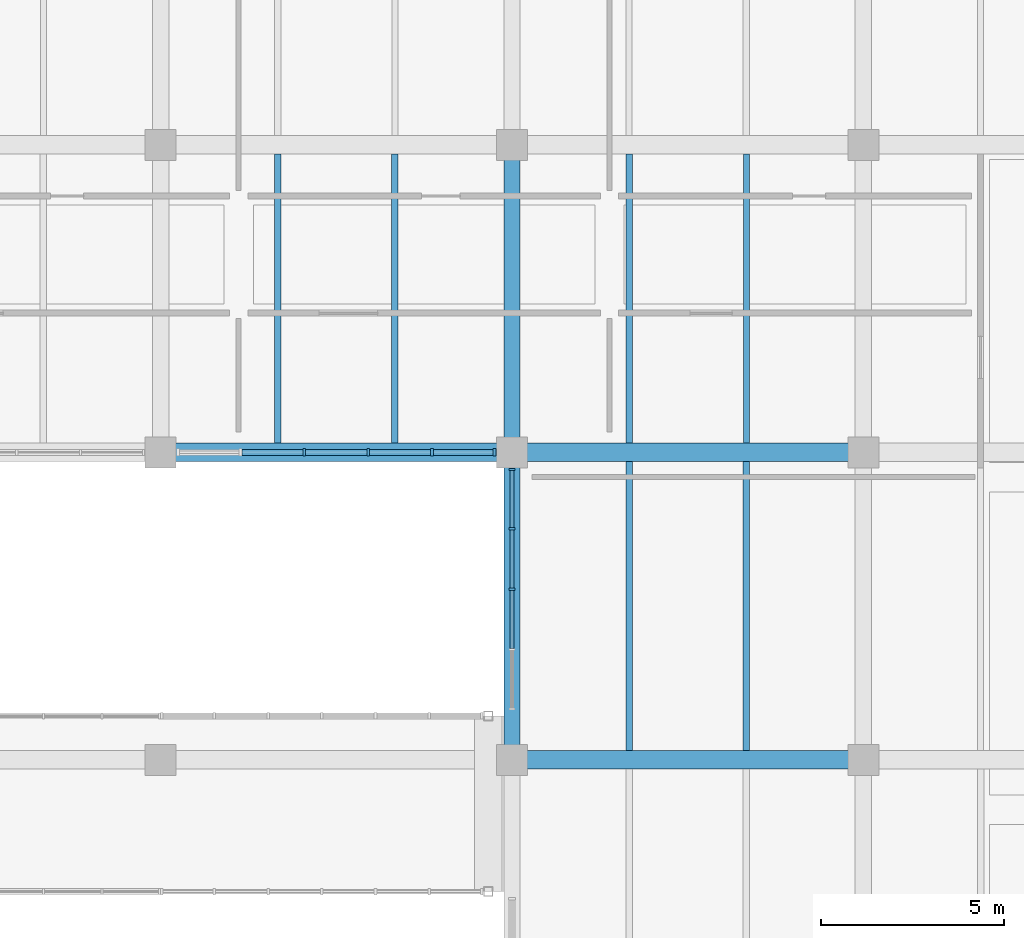
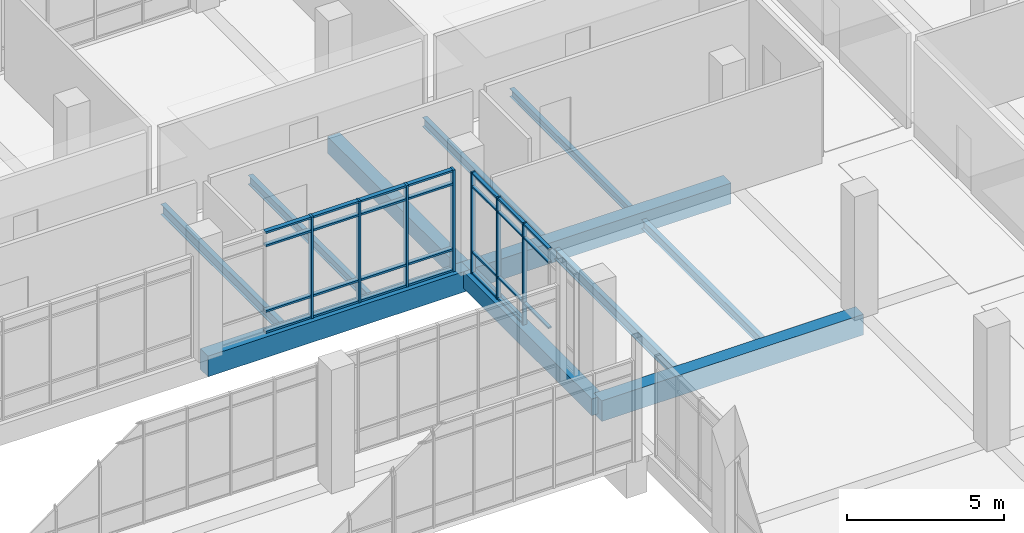
# One storey, part 61 of 152: 34 members, 11 beams, 2 elements without a shape of their own.
"""IFC4 building model written with IfcOpenShell, lengths in metres."""

import ifcopenshell
import ifcopenshell.guid

model = None  # the IFC model being written
_history = None  # IfcOwnerHistory: only IFC2X3 demands one
_inside = {}  # id of a spatial element -> (the spatial element, [elements in it])
_under = {}  # id of a project, library or spatial element -> (it, [spatial elements below it])
_declared = {}  # id of a project -> (the project, [libraries it declares])
_typed = {}  # id of a type object -> (the type object, [elements of that type])
_made_of = {}  # id of a material, layer set ... -> (it, [elements and type objects made of it])


def new_model(schema):
    """Start an empty IFC model of exactly this schema.

    Asked for "IFC4X3", IfcOpenShell would pick the latest addendum, in which some entities
    have other attributes; the version numbers below select the first issue.
    IFC2X3 requires an IfcOwnerHistory on every rooted entity: one is made here for all.
    """
    global model, _history
    if schema == "IFC4X3":
        model = ifcopenshell.file(schema_version=(4, 3, 0, 0))
    else:
        model = ifcopenshell.file(schema=schema)
    _inside.clear()
    _under.clear()
    _declared.clear()
    _typed.clear()
    _made_of.clear()
    _history = None
    if model.schema == "IFC2X3":
        org = make("IfcOrganization", Name="unknown")
        user = make(
            "IfcPersonAndOrganization",
            ThePerson=make("IfcPerson", FamilyName="unknown"),
            TheOrganization=org,
        )
        app = make(
            "IfcApplication",
            ApplicationDeveloper=org,
            Version="unknown",
            ApplicationFullName="unknown",
            ApplicationIdentifier="unknown",
        )
        _history = make(
            "IfcOwnerHistory",
            OwningUser=user,
            OwningApplication=app,
            ChangeAction="ADDED",
            CreationDate=0,
        )
    return model


def make(cls, **values):
    """One entity of the class cls with the attributes given. An attribute that is None is left unset."""
    return model.create_entity(
        cls, **{name: value for name, value in values.items() if value is not None}
    )


def rooted(cls, **values):
    """An entity with a GlobalId (a new one), such as an element, a storey or a relation."""
    return make(cls, GlobalId=ifcopenshell.guid.new(), OwnerHistory=_history, **values)


def si_unit(unit_type, name, prefix=None):
    """IfcSIUnit, for example si_unit("LENGTHUNIT", "METRE", prefix="MILLI")."""
    return make("IfcSIUnit", UnitType=unit_type, Prefix=prefix, Name=name)


def assignment(units):
    """IfcUnitAssignment: the units of a project."""
    return None if units is None else make("IfcUnitAssignment", Units=units)


def point(xyz):
    """IfcCartesianPoint."""
    return None if xyz is None else make("IfcCartesianPoint", Coordinates=xyz)


def direction(xyz):
    """IfcDirection."""
    return None if xyz is None else make("IfcDirection", DirectionRatios=xyz)


def frame(location, z_axis=None, x_axis=None):
    """IfcAxis2Placement3D, a coordinate frame: its origin and axes. An axis left out is left unset."""
    return make(
        "IfcAxis2Placement3D",
        Location=point(location),
        Axis=direction(z_axis),
        RefDirection=direction(x_axis),
    )


def frame_2d(location, x_axis=None):
    """IfcAxis2Placement2D, a coordinate frame in the plane: its origin and x axis."""
    return make(
        "IfcAxis2Placement2D", Location=point(location), RefDirection=direction(x_axis)
    )


def origin():
    """The frame at (0, 0, 0) with its axes left unset."""
    return frame((0.0, 0.0, 0.0))


def origin_2d():
    """The frame at (0, 0) in the plane with its x axis left unset."""
    return frame_2d((0.0, 0.0))


def place(relative_to, where):
    """IfcLocalPlacement: puts the frame where relative to a parent placement (None: the world)."""
    return make(
        "IfcLocalPlacement", PlacementRelTo=relative_to, RelativePlacement=where
    )


def context(
    kind, dimensions, precision=None, world=None, true_north=None, identifier=None
):
    """IfcGeometricRepresentationContext, for example the 3D "Model" context."""
    return make(
        "IfcGeometricRepresentationContext",
        ContextIdentifier=identifier,
        ContextType=kind,
        CoordinateSpaceDimension=dimensions,
        Precision=precision,
        WorldCoordinateSystem=world,
        TrueNorth=true_north,
    )


def subcontext(parent, identifier, kind, view, scale=None):
    """IfcGeometricRepresentationSubContext, for example "Body" below "Model"."""
    return make(
        "IfcGeometricRepresentationSubContext",
        ContextIdentifier=identifier,
        ContextType=kind,
        ParentContext=parent,
        TargetScale=scale,
        TargetView=view,
    )


def project(units=None, contexts=None):
    """IfcProject with its units and contexts."""
    return rooted(
        "IfcProject",
        Name="project",
        RepresentationContexts=contexts,
        UnitsInContext=assignment(units),
    )


def spatial(cls, under=None, at=None, **own):
    """A site, building, storey or space (cls), placed at a placement, below another one or the project."""
    s = rooted(cls, ObjectPlacement=at, **own)
    if under is not None:
        _under.setdefault(under.id(), (under, []))[1].append(s)
    return s


def profile(cls, at=None, kind="AREA", **sizes):
    """A parametric profile (cls). Its sizes go by their IFC names, for example OverallWidth=200.0."""
    return make(cls, ProfileType=kind, Position=at, **sizes)


def rectangle(**sizes):
    """IfcRectangleProfileDef."""
    return profile("IfcRectangleProfileDef", **sizes)


def i_section(**sizes):
    """IfcIShapeProfileDef."""
    return profile("IfcIShapeProfileDef", **sizes)


def extrude(swept, where, along, depth):
    """IfcExtrudedAreaSolid: the profile swept, set in the frame where, extruded along a direction by depth."""
    return make(
        "IfcExtrudedAreaSolid",
        SweptArea=swept,
        Position=where,
        ExtrudedDirection=direction(along),
        Depth=depth,
    )


def shape(context_of_items, identifier, shape_type, items):
    """IfcShapeRepresentation: the items that make up one representation, for example the "Body"."""
    return make(
        "IfcShapeRepresentation",
        ContextOfItems=context_of_items,
        RepresentationIdentifier=identifier,
        RepresentationType=shape_type,
        Items=items,
    )


def material(Name=None, Category=None):
    """IfcMaterial."""
    return make("IfcMaterial", Name=Name, Category=Category)


def material_profile(
    of_material, cross_section, Name=None, Category=None, Priority=None
):
    """IfcMaterialProfile: a cross section and its material."""
    return make(
        "IfcMaterialProfile",
        Name=Name,
        Material=of_material,
        Profile=cross_section,
        Priority=Priority,
        Category=Category,
    )


def profile_set(profiles, Name=None, composite=None):
    """IfcMaterialProfileSet."""
    return make(
        "IfcMaterialProfileSet",
        Name=Name,
        MaterialProfiles=profiles,
        CompositeProfile=composite,
    )


def made_of(thing, what):
    """Note that an element or type object is made of a material, layer set ...; save() writes the relation."""
    if what is not None:
        _made_of.setdefault(what.id(), (what, []))[1].append(thing)
    return thing


def type_object(cls, material=None, **own):
    """A type object (cls), such as IfcWallType, which elements share."""
    return made_of(rooted(cls, **own), material)


def element(
    cls,
    number,
    at=None,
    inside=None,
    cuts=None,
    type_object=None,
    material=None,
    context=None,
    identifier="Body",
    shape_type=None,
    held_by="IfcProductDefinitionShape",
    body=None,
    shapes=None,
    **own,
):
    """One element of the class cls, such as IfcWall. Its Tag is "e" and its number.

    at: its placement. inside: the storey or other place that contains it. cuts: it is an
    opening in that element (IfcRelVoidsElement). A single representation is given by context,
    identifier, shape_type and body (its items); several are given by shapes. held_by: the class
    of the entity that holds the representations. save() writes the other relations.
    """
    e = rooted(cls, Tag="e%d" % number, ObjectPlacement=at, **own)
    if body is not None:
        shapes = [shape(context, identifier, shape_type, body)]
    if shapes is not None:
        e.Representation = make(held_by, Representations=shapes)
    if inside is not None:
        _inside.setdefault(inside.id(), (inside, []))[1].append(e)
    if cuts is not None:
        rooted(
            "IfcRelVoidsElement", RelatingBuildingElement=cuts, RelatedOpeningElement=e
        )
    if type_object is not None:
        _typed.setdefault(type_object.id(), (type_object, []))[1].append(e)
    return made_of(e, material)


def aggregate(whole, parts):
    """IfcRelAggregates: a whole, such as a stair, and the parts it consists of."""
    return rooted("IfcRelAggregates", RelatingObject=whole, RelatedObjects=parts)


def save(model, path):
    """Write the relations noted so far, then the file.

    IfcRelAggregates (storeys below a building ...), IfcRelContainedInSpatialStructure (elements
    in a storey), IfcRelDefinesByType, IfcRelAssociatesMaterial and IfcRelDeclares: one each for
    every whole, place, type object, material and project.
    """
    for whole, parts in _under.values():
        aggregate(whole, parts)
    for where, things in _inside.values():
        rooted(
            "IfcRelContainedInSpatialStructure",
            RelatedElements=things,
            RelatingStructure=where,
        )
    for kind, things in _typed.values():
        rooted("IfcRelDefinesByType", RelatedObjects=things, RelatingType=kind)
    for what, things in _made_of.values():
        rooted("IfcRelAssociatesMaterial", RelatedObjects=things, RelatingMaterial=what)
    for by, libraries in _declared.values():
        rooted("IfcRelDeclares", RelatingContext=by, RelatedDefinitions=libraries)
    model.write(path)


model = new_model("IFC4")

# Units and contexts
model_context = context("Model", 3, precision=1e-05, world=origin(), true_north=direction((0.0, 1.0)))
body_context = subcontext(model_context, "Body", "Model", "MODEL_VIEW")
ifc_project = project(units=[si_unit("LENGTHUNIT", "METRE"), si_unit("AREAUNIT", "SQUARE_METRE"), si_unit("VOLUMEUNIT", "CUBIC_METRE"), si_unit("PLANEANGLEUNIT", "RADIAN"), si_unit("MASSUNIT", "GRAM", prefix="KILO")], contexts=[model_context])

# Site, building, storey
site_placement = place(None, origin())
site = spatial("IfcSite", under=ifc_project, at=site_placement, CompositionType="ELEMENT")
building_placement = place(site_placement, origin())
building = spatial("IfcBuilding", under=site, at=building_placement, Name="Oolite Switchyard Hospital", CompositionType="ELEMENT")
storey_placement = place(building_placement, frame((0.0, 0.0, 5.10009765625)))
storey = spatial("IfcBuildingStorey", under=building, at=storey_placement, Name="L01", CompositionType="ELEMENT", Elevation=5.10009765625)

# Beams
ifc_material_1 = material(Name="Concrete C40/50", Category="concrete")
ifc_material_profile_1 = material_profile(ifc_material_1, rectangle(XDim=0.449951171875, YDim=0.64990234375, at=origin_2d()), Name="RCB450X650")
ifc_profile_set_1 = profile_set([ifc_material_profile_1], Name="Concrete C40/50")
beam_type_1 = type_object("IfcBeamType", Name="BM-RC450X650", PredefinedType="BEAM", material=ifc_profile_set_1)
beam_1_placement = place(storey_placement, frame((182.39990234375, 50.39990234375, -0.3251953125), z_axis=(0.0, 1.0, 0.0), x_axis=(-1.0, 0.0, 0.0)))
element("IfcBeam", 1, at=beam_1_placement, inside=storey, type_object=beam_type_1, Name="L01 Y-Girder 516", PredefinedType="BEAM", context=body_context, shape_type="SweptSolid", body=[
    extrude(rectangle(XDim=0.449951171875, YDim=0.64990234375, at=origin_2d()), origin(), (0.0, 0.0, 1.0), 8.400146484375),
])
beam_2_placement = place(storey_placement, frame((182.39990234375, 58.800048828125, -0.3251953125), z_axis=(0.0, 1.0, 0.0), x_axis=(-1.0, 0.0, 0.0)))
element("IfcBeam", 2, at=beam_2_placement, inside=storey, type_object=beam_type_1, Name="L01 Y-Girder 517", PredefinedType="BEAM", context=body_context, shape_type="SweptSolid", body=[
    extrude(rectangle(XDim=0.449951171875, YDim=0.64990234375, at=origin_2d()), origin(), (0.0, 0.0, 1.0), 8.39990234375),
])
ifc_material_profile_2 = material_profile(ifc_material_1, rectangle(XDim=0.5, YDim=0.800048828125, at=origin_2d()), Name="RCB500X800")
ifc_profile_set_2 = profile_set([ifc_material_profile_2], Name="Concrete C40/50")
beam_type_2 = type_object("IfcBeamType", Name="BM-RC500X800", PredefinedType="BEAM", material=ifc_profile_set_2)
beam_3_placement = place(storey_placement, frame((182.39990234375, 50.39990234375, -0.400146484375), z_axis=(1.0, 0.0, 0.0), x_axis=(0.0, 1.0, 0.0)))
element("IfcBeam", 3, at=beam_3_placement, inside=storey, type_object=beam_type_2, Name="L01 X-Girder 109", PredefinedType="BEAM", context=body_context, shape_type="SweptSolid", body=[
    extrude(rectangle(XDim=0.5, YDim=0.800048828125, at=origin_2d()), origin(), (0.0, 0.0, 1.0), 9.60009765625),
])
beam_4_placement = place(storey_placement, frame((172.800048828125, 58.800048828125, -0.400146484375), z_axis=(1.0, 0.0, 0.0), x_axis=(0.0, 1.0, 0.0)))
element("IfcBeam", 4, at=beam_4_placement, inside=storey, type_object=beam_type_2, Name="L01 X-Girder 124", PredefinedType="BEAM", context=body_context, shape_type="SweptSolid", body=[
    extrude(rectangle(XDim=0.5, YDim=0.800048828125, at=origin_2d()), origin(), (0.0, 0.0, 1.0), 9.599853515625),
])
beam_5_placement = place(storey_placement, frame((182.39990234375, 58.800048828125, -0.400146484375), z_axis=(1.0, 0.0, 0.0), x_axis=(0.0, 1.0, 0.0)))
element("IfcBeam", 5, at=beam_5_placement, inside=storey, type_object=beam_type_2, Name="L01 X-Girder 125", PredefinedType="BEAM", context=body_context, shape_type="SweptSolid", body=[
    extrude(rectangle(XDim=0.5, YDim=0.800048828125, at=origin_2d()), origin(), (0.0, 0.0, 1.0), 9.60009765625),
])
ifc_material_2 = material(Name="Steel ASTM A992 Grade 50", Category="steel")
ifc_material_profile_3 = material_profile(ifc_material_2, i_section(OverallWidth=0.1650390625, OverallDepth=0.31005859375, WebThickness=0.006103515625, FlangeThickness=0.010009765625, at=origin_2d()), Name="W12X26")
ifc_profile_set_3 = profile_set([ifc_material_profile_3], Name="Steel ASTM A992 Grade 50")
beam_type_3 = type_object("IfcBeamType", Name="BM-W12X26", PredefinedType="JOIST", material=ifc_profile_set_3)
beam_6_placement = place(storey_placement, frame((188.800048828125, 59.050048828125, -0.43017578125), z_axis=(0.0, 1.0, 0.0), x_axis=(-1.0, 0.0, 0.0)))
element("IfcBeam", 6, at=beam_6_placement, inside=storey, type_object=beam_type_3, Name="L01 Secondary Steel Joist 941", PredefinedType="JOIST", context=body_context, shape_type="SweptSolid", body=[
    extrude(i_section(OverallWidth=0.1650390625, OverallDepth=0.31005859375, WebThickness=0.006103515625, FlangeThickness=0.010009765625, at=origin_2d()), origin(), (0.0, 0.0, 1.0), 7.89990234375),
])
ifc_material_profile_4 = material_profile(ifc_material_2, i_section(OverallWidth=0.1708984375, OverallDepth=0.35107421875, WebThickness=0.007080078125, FlangeThickness=0.010009765625, at=origin_2d()), Name="W14X30")
ifc_profile_set_4 = profile_set([ifc_material_profile_4], Name="Steel ASTM A992 Grade 50")
beam_type_4 = type_object("IfcBeamType", Name="BM-W14X30", PredefinedType="JOIST", material=ifc_profile_set_4)
beam_7_placement = place(storey_placement, frame((179.199951171875, 59.050048828125, -0.4501953125), z_axis=(0.0, 1.0, 0.0), x_axis=(-1.0, 0.0, 0.0)))
element("IfcBeam", 7, at=beam_7_placement, inside=storey, type_object=beam_type_4, Name="L01 Secondary Steel Joist 917", PredefinedType="JOIST", context=body_context, shape_type="SweptSolid", body=[
    extrude(i_section(OverallWidth=0.1708984375, OverallDepth=0.35107421875, WebThickness=0.007080078125, FlangeThickness=0.010009765625, at=origin_2d()), origin(), (0.0, 0.0, 1.0), 7.89990234375),
])
beam_8_placement = place(storey_placement, frame((188.800048828125, 50.64990234375, -0.4501953125), z_axis=(0.0, 1.0, 0.0), x_axis=(-1.0, 0.0, 0.0)))
element("IfcBeam", 8, at=beam_8_placement, inside=storey, type_object=beam_type_4, Name="L01 Secondary Steel Joist 939", PredefinedType="JOIST", context=body_context, shape_type="SweptSolid", body=[
    extrude(i_section(OverallWidth=0.1708984375, OverallDepth=0.35107421875, WebThickness=0.007080078125, FlangeThickness=0.010009765625, at=origin_2d()), origin(), (0.0, 0.0, 1.0), 7.900146484375),
])
beam_9_placement = place(storey_placement, frame((185.60009765625, 59.050048828125, -0.4501953125), z_axis=(0.0, 1.0, 0.0), x_axis=(-1.0, 0.0, 0.0)))
element("IfcBeam", 9, at=beam_9_placement, inside=storey, type_object=beam_type_4, Name="L01 Secondary Steel Joist 940", PredefinedType="JOIST", context=body_context, shape_type="SweptSolid", body=[
    extrude(i_section(OverallWidth=0.1708984375, OverallDepth=0.35107421875, WebThickness=0.007080078125, FlangeThickness=0.010009765625, at=origin_2d()), origin(), (0.0, 0.0, 1.0), 7.89990234375),
])
ifc_material_profile_5 = material_profile(ifc_material_2, i_section(OverallWidth=0.177978515625, OverallDepth=0.403076171875, WebThickness=0.008056640625, FlangeThickness=0.010986328125, at=origin_2d()), Name="W16X36")
ifc_profile_set_5 = profile_set([ifc_material_profile_5], Name="Steel ASTM A992 Grade 50")
beam_type_5 = type_object("IfcBeamType", Name="BM-W16X36", PredefinedType="JOIST", material=ifc_profile_set_5)
beam_10_placement = place(storey_placement, frame((176.0, 59.050048828125, -0.47705078125), z_axis=(0.0, 1.0, 0.0), x_axis=(-1.0, 0.0, 0.0)))
element("IfcBeam", 10, at=beam_10_placement, inside=storey, type_object=beam_type_5, Name="L01 Secondary Steel Joist 916", PredefinedType="JOIST", context=body_context, shape_type="SweptSolid", body=[
    extrude(i_section(OverallWidth=0.177978515625, OverallDepth=0.403076171875, WebThickness=0.008056640625, FlangeThickness=0.010986328125, at=origin_2d()), origin(), (0.0, 0.0, 1.0), 7.89990234375),
])
beam_11_placement = place(storey_placement, frame((185.60009765625, 50.64990234375, -0.47705078125), z_axis=(0.0, 1.0, 0.0), x_axis=(-1.0, 0.0, 0.0)))
element("IfcBeam", 11, at=beam_11_placement, inside=storey, type_object=beam_type_5, Name="L01 Secondary Steel Joist 938", PredefinedType="JOIST", context=body_context, shape_type="SweptSolid", body=[
    extrude(i_section(OverallWidth=0.177978515625, OverallDepth=0.403076171875, WebThickness=0.008056640625, FlangeThickness=0.010986328125, at=origin_2d()), origin(), (0.0, 0.0, 1.0), 7.900146484375),
])

# Curtain wall, members
ifc_material_3 = material(Name="Thermally broken aluminum frame with laminated impact glazing", Category="aluminium")
curtain_wall_type_1 = type_object("IfcCurtainWallType", Name="CW-BRG-96X38", PredefinedType="USERDEFINED", material=ifc_material_3)
curtain_wall_1_placement = place(storey_placement, origin())
curtain_wall_1 = element("IfcCurtainWall", 12, at=curtain_wall_1_placement, inside=storey, type_object=curtain_wall_type_1, Name="L01 Unitised Curtain Wall 200", ObjectType="UNITISED", PredefinedType="USERDEFINED")
ifc_material_4 = material(Name="Aluminium 6063-T6", Category="aluminium")
ifc_material_profile_6 = material_profile(ifc_material_4, rectangle(XDim=0.159912109375, YDim=0.06005859375, at=origin_2d()), Name="CWM60X160")
ifc_profile_set_6 = profile_set([ifc_material_profile_6], Name="Aluminium 6063-T6")
member_type_1 = type_object("IfcMemberType", Name="CW-MUL-180", PredefinedType="MULLION", material=ifc_profile_set_6)
member_1_placement = place(storey_placement, frame((182.39990234375, 55.06005859375, 0.0), z_axis=(0.0, 0.0, 1.0), x_axis=(-1.0, 0.0, 0.0)))
member_1 = element("IfcMember", 13, at=member_1_placement, type_object=member_type_1, Name="CW-12 mullion 3", PredefinedType="MULLION", context=body_context, shape_type="SweptSolid", body=[
    extrude(rectangle(XDim=0.159912109375, YDim=0.06005859375, at=origin_2d()), origin(), (0.0, 0.0, 1.0), 3.93994140625),
])
member_2_placement = place(storey_placement, frame((182.39990234375, 56.7099609375, 0.0), z_axis=(0.0, 0.0, 1.0), x_axis=(-1.0, 0.0, 0.0)))
member_2 = element("IfcMember", 14, at=member_2_placement, type_object=member_type_1, Name="CW-12 mullion 4", PredefinedType="MULLION", context=body_context, shape_type="SweptSolid", body=[
    extrude(rectangle(XDim=0.159912109375, YDim=0.06005859375, at=origin_2d()), origin(), (0.0, 0.0, 1.0), 3.93994140625),
])
member_3_placement = place(storey_placement, frame((182.39990234375, 58.330078125, 0.0), z_axis=(0.0, 0.0, 1.0), x_axis=(-1.0, 0.0, 0.0)))
member_3 = element("IfcMember", 15, at=member_3_placement, type_object=member_type_1, Name="CW-12 mullion 5", PredefinedType="MULLION", context=body_context, shape_type="SweptSolid", body=[
    extrude(rectangle(XDim=0.159912109375, YDim=0.06005859375, at=origin_2d()), origin(), (0.0, 0.0, 1.0), 3.93994140625),
])

curtain_wall_type_2 = type_object("IfcCurtainWallType", Name="CW-UNIT-96X48", PredefinedType="USERDEFINED", material=ifc_material_3)
curtain_wall_2_placement = place(storey_placement, origin())
curtain_wall_2 = element("IfcCurtainWall", 16, at=curtain_wall_2_placement, inside=storey, type_object=curtain_wall_type_2, Name="L01 Unitised Curtain Wall 133", ObjectType="UNITISED", PredefinedType="USERDEFINED")
ifc_material_profile_7 = material_profile(ifc_material_4, rectangle(XDim=0.199951171875, YDim=0.074951171875, at=origin_2d()), Name="CWM75X200")
ifc_profile_set_7 = profile_set([ifc_material_profile_7], Name="Aluminium 6063-T6")
member_type_2 = type_object("IfcMemberType", Name="CW-MUL-260", PredefinedType="MULLION", material=ifc_profile_set_7)
member_4_placement = place(storey_placement, frame((181.922607421875, 58.800048828125, 0.0), z_axis=(0.0, 0.0, 1.0), x_axis=(0.0, -1.0, 0.0)))
member_4 = element("IfcMember", 17, at=member_4_placement, type_object=member_type_2, Name="CW-02 mullion 1", PredefinedType="MULLION", context=body_context, shape_type="SweptSolid", body=[
    extrude(rectangle(XDim=0.199951171875, YDim=0.074951171875, at=origin_2d()), origin(), (0.0, 0.0, 1.0), 3.93994140625),
])
member_5_placement = place(storey_placement, frame((180.216064453125, 58.800048828125, 0.0), z_axis=(0.0, 0.0, 1.0), x_axis=(0.0, -1.0, 0.0)))
member_5 = element("IfcMember", 18, at=member_5_placement, type_object=member_type_2, Name="CW-02 mullion 2", PredefinedType="MULLION", context=body_context, shape_type="SweptSolid", body=[
    extrude(rectangle(XDim=0.199951171875, YDim=0.074951171875, at=origin_2d()), origin(), (0.0, 0.0, 1.0), 3.93994140625),
])
member_6_placement = place(storey_placement, frame((178.471923828125, 58.800048828125, 0.0), z_axis=(0.0, 0.0, 1.0), x_axis=(0.0, -1.0, 0.0)))
member_6 = element("IfcMember", 19, at=member_6_placement, type_object=member_type_2, Name="CW-02 mullion 3", PredefinedType="MULLION", context=body_context, shape_type="SweptSolid", body=[
    extrude(rectangle(XDim=0.199951171875, YDim=0.074951171875, at=origin_2d()), origin(), (0.0, 0.0, 1.0), 3.93994140625),
])
member_7_placement = place(storey_placement, frame((176.72802734375, 58.800048828125, 0.0), z_axis=(0.0, 0.0, 1.0), x_axis=(0.0, -1.0, 0.0)))
member_7 = element("IfcMember", 20, at=member_7_placement, type_object=member_type_2, Name="CW-02 mullion 4", PredefinedType="MULLION", context=body_context, shape_type="SweptSolid", body=[
    extrude(rectangle(XDim=0.199951171875, YDim=0.074951171875, at=origin_2d()), origin(), (0.0, 0.0, 1.0), 3.93994140625),
])

# Member
ifc_material_profile_8 = material_profile(ifc_material_4, rectangle(XDim=0.1201171875, YDim=0.06005859375, at=origin_2d()), Name="CWT60X120")
ifc_profile_set_8 = profile_set([ifc_material_profile_8], Name="Aluminium 6063-T6")
member_type_3 = type_object("IfcMemberType", Name="CW-TRN-150", PredefinedType="USERDEFINED", material=ifc_profile_set_8)
member_8_placement = place(storey_placement, frame((182.39990234375, 53.43994140625, 0.849853515625), z_axis=(0.0, 1.0, 0.0), x_axis=(-1.0, 0.0, 0.0)))
member_8 = element("IfcMember", 21, at=member_8_placement, type_object=member_type_3, Name="CW-12 transom 2.2", ObjectType="TRANSOM", PredefinedType="USERDEFINED", context=body_context, shape_type="SweptSolid", body=[
    extrude(rectangle(XDim=0.1201171875, YDim=0.06005859375, at=origin_2d()), origin(), (0.0, 0.0, 1.0), 1.590087890625),
])

member_9_placement = place(storey_placement, frame((182.39990234375, 53.43994140625, 3.389892578125), z_axis=(0.0, 1.0, 0.0), x_axis=(-1.0, 0.0, 0.0)))
member_9 = element("IfcMember", 22, at=member_9_placement, type_object=member_type_3, Name="CW-12 transom 2.3", ObjectType="TRANSOM", PredefinedType="USERDEFINED", context=body_context, shape_type="SweptSolid", body=[
    extrude(rectangle(XDim=0.1201171875, YDim=0.06005859375, at=origin_2d()), origin(), (0.0, 0.0, 1.0), 1.590087890625),
])

member_10_placement = place(storey_placement, frame((182.39990234375, 53.43994140625, 3.909912109375), z_axis=(0.0, 1.0, 0.0), x_axis=(-1.0, 0.0, 0.0)))
member_10 = element("IfcMember", 23, at=member_10_placement, type_object=member_type_3, Name="CW-12 transom 2.4", ObjectType="TRANSOM", PredefinedType="USERDEFINED", context=body_context, shape_type="SweptSolid", body=[
    extrude(rectangle(XDim=0.1201171875, YDim=0.06005859375, at=origin_2d()), origin(), (0.0, 0.0, 1.0), 1.590087890625),
])

member_11_placement = place(storey_placement, frame((182.39990234375, 55.090087890625, 0.02978515625), z_axis=(0.0, 1.0, 0.0), x_axis=(-1.0, 0.0, 0.0)))
member_11 = element("IfcMember", 24, at=member_11_placement, type_object=member_type_3, Name="CW-12 transom 3.1", ObjectType="TRANSOM", PredefinedType="USERDEFINED", context=body_context, shape_type="SweptSolid", body=[
    extrude(rectangle(XDim=0.1201171875, YDim=0.06005859375, at=origin_2d()), origin(), (0.0, 0.0, 1.0), 1.58984375),
])

member_12_placement = place(storey_placement, frame((182.39990234375, 55.090087890625, 0.849853515625), z_axis=(0.0, 1.0, 0.0), x_axis=(-1.0, 0.0, 0.0)))
member_12 = element("IfcMember", 25, at=member_12_placement, type_object=member_type_3, Name="CW-12 transom 3.2", ObjectType="TRANSOM", PredefinedType="USERDEFINED", context=body_context, shape_type="SweptSolid", body=[
    extrude(rectangle(XDim=0.1201171875, YDim=0.06005859375, at=origin_2d()), origin(), (0.0, 0.0, 1.0), 1.58984375),
])

member_13_placement = place(storey_placement, frame((182.39990234375, 55.090087890625, 3.389892578125), z_axis=(0.0, 1.0, 0.0), x_axis=(-1.0, 0.0, 0.0)))
member_13 = element("IfcMember", 26, at=member_13_placement, type_object=member_type_3, Name="CW-12 transom 3.3", ObjectType="TRANSOM", PredefinedType="USERDEFINED", context=body_context, shape_type="SweptSolid", body=[
    extrude(rectangle(XDim=0.1201171875, YDim=0.06005859375, at=origin_2d()), origin(), (0.0, 0.0, 1.0), 1.58984375),
])

member_14_placement = place(storey_placement, frame((182.39990234375, 55.090087890625, 3.909912109375), z_axis=(0.0, 1.0, 0.0), x_axis=(-1.0, 0.0, 0.0)))
member_14 = element("IfcMember", 27, at=member_14_placement, type_object=member_type_3, Name="CW-12 transom 3.4", ObjectType="TRANSOM", PredefinedType="USERDEFINED", context=body_context, shape_type="SweptSolid", body=[
    extrude(rectangle(XDim=0.1201171875, YDim=0.06005859375, at=origin_2d()), origin(), (0.0, 0.0, 1.0), 1.58984375),
])

member_15_placement = place(storey_placement, frame((182.39990234375, 56.739990234375, 0.02978515625), z_axis=(0.0, 1.0, 0.0), x_axis=(-1.0, 0.0, 0.0)))
member_15 = element("IfcMember", 28, at=member_15_placement, type_object=member_type_3, Name="CW-12 transom 4.1", ObjectType="TRANSOM", PredefinedType="USERDEFINED", context=body_context, shape_type="SweptSolid", body=[
    extrude(rectangle(XDim=0.1201171875, YDim=0.06005859375, at=origin_2d()), origin(), (0.0, 0.0, 1.0), 1.56005859375),
])

member_16_placement = place(storey_placement, frame((182.39990234375, 56.739990234375, 0.849853515625), z_axis=(0.0, 1.0, 0.0), x_axis=(-1.0, 0.0, 0.0)))
member_16 = element("IfcMember", 29, at=member_16_placement, type_object=member_type_3, Name="CW-12 transom 4.2", ObjectType="TRANSOM", PredefinedType="USERDEFINED", context=body_context, shape_type="SweptSolid", body=[
    extrude(rectangle(XDim=0.1201171875, YDim=0.06005859375, at=origin_2d()), origin(), (0.0, 0.0, 1.0), 1.56005859375),
])

member_17_placement = place(storey_placement, frame((182.39990234375, 56.739990234375, 3.389892578125), z_axis=(0.0, 1.0, 0.0), x_axis=(-1.0, 0.0, 0.0)))
member_17 = element("IfcMember", 30, at=member_17_placement, type_object=member_type_3, Name="CW-12 transom 4.3", ObjectType="TRANSOM", PredefinedType="USERDEFINED", context=body_context, shape_type="SweptSolid", body=[
    extrude(rectangle(XDim=0.1201171875, YDim=0.06005859375, at=origin_2d()), origin(), (0.0, 0.0, 1.0), 1.56005859375),
])

member_18_placement = place(storey_placement, frame((182.39990234375, 56.739990234375, 3.909912109375), z_axis=(0.0, 1.0, 0.0), x_axis=(-1.0, 0.0, 0.0)))
member_18 = element("IfcMember", 31, at=member_18_placement, type_object=member_type_3, Name="CW-12 transom 4.4", ObjectType="TRANSOM", PredefinedType="USERDEFINED", context=body_context, shape_type="SweptSolid", body=[
    extrude(rectangle(XDim=0.1201171875, YDim=0.06005859375, at=origin_2d()), origin(), (0.0, 0.0, 1.0), 1.56005859375),
])

aggregate(curtain_wall_1, [member_1, member_2, member_3, member_8, member_9, member_10, member_11, member_12, member_13, member_14, member_15, member_16, member_17, member_18])

ifc_material_profile_9 = material_profile(ifc_material_4, rectangle(XDim=0.159912109375, YDim=0.074951171875, at=origin_2d()), Name="CWT75X160")
ifc_profile_set_9 = profile_set([ifc_material_profile_9], Name="Aluminium 6063-T6")
member_type_4 = type_object("IfcMemberType", Name="CW-TRN-180", PredefinedType="USERDEFINED", material=ifc_profile_set_9)
member_19_placement = place(storey_placement, frame((181.885009765625, 58.800048828125, 0.037353515625), z_axis=(-1.0, 0.0, 0.0), x_axis=(0.0, -1.0, 0.0)))
member_19 = element("IfcMember", 32, at=member_19_placement, type_object=member_type_4, Name="CW-02 transom 1.1", ObjectType="TRANSOM", PredefinedType="USERDEFINED", context=body_context, shape_type="SweptSolid", body=[
    extrude(rectangle(XDim=0.159912109375, YDim=0.074951171875, at=origin_2d()), origin(), (0.0, 0.0, 1.0), 1.631591796875),
])

member_20_placement = place(storey_placement, frame((181.885009765625, 58.800048828125, 0.849853515625), z_axis=(-1.0, 0.0, 0.0), x_axis=(0.0, -1.0, 0.0)))
member_20 = element("IfcMember", 33, at=member_20_placement, type_object=member_type_4, Name="CW-02 transom 1.2", ObjectType="TRANSOM", PredefinedType="USERDEFINED", context=body_context, shape_type="SweptSolid", body=[
    extrude(rectangle(XDim=0.159912109375, YDim=0.074951171875, at=origin_2d()), origin(), (0.0, 0.0, 1.0), 1.631591796875),
])

member_21_placement = place(storey_placement, frame((181.885009765625, 58.800048828125, 3.389892578125), z_axis=(-1.0, 0.0, 0.0), x_axis=(0.0, -1.0, 0.0)))
member_21 = element("IfcMember", 34, at=member_21_placement, type_object=member_type_4, Name="CW-02 transom 1.3", ObjectType="TRANSOM", PredefinedType="USERDEFINED", context=body_context, shape_type="SweptSolid", body=[
    extrude(rectangle(XDim=0.159912109375, YDim=0.074951171875, at=origin_2d()), origin(), (0.0, 0.0, 1.0), 1.631591796875),
])

member_22_placement = place(storey_placement, frame((181.885009765625, 58.800048828125, 3.90234375), z_axis=(-1.0, 0.0, 0.0), x_axis=(0.0, -1.0, 0.0)))
member_22 = element("IfcMember", 35, at=member_22_placement, type_object=member_type_4, Name="CW-02 transom 1.4", ObjectType="TRANSOM", PredefinedType="USERDEFINED", context=body_context, shape_type="SweptSolid", body=[
    extrude(rectangle(XDim=0.159912109375, YDim=0.074951171875, at=origin_2d()), origin(), (0.0, 0.0, 1.0), 1.631591796875),
])

member_23_placement = place(storey_placement, frame((180.178466796875, 58.800048828125, 0.037353515625), z_axis=(-1.0, 0.0, 0.0), x_axis=(0.0, -1.0, 0.0)))
member_23 = element("IfcMember", 36, at=member_23_placement, type_object=member_type_4, Name="CW-02 transom 2.1", ObjectType="TRANSOM", PredefinedType="USERDEFINED", context=body_context, shape_type="SweptSolid", body=[
    extrude(rectangle(XDim=0.159912109375, YDim=0.074951171875, at=origin_2d()), origin(), (0.0, 0.0, 1.0), 1.6689453125),
])

member_24_placement = place(storey_placement, frame((180.178466796875, 58.800048828125, 0.849853515625), z_axis=(-1.0, 0.0, 0.0), x_axis=(0.0, -1.0, 0.0)))
member_24 = element("IfcMember", 37, at=member_24_placement, type_object=member_type_4, Name="CW-02 transom 2.2", ObjectType="TRANSOM", PredefinedType="USERDEFINED", context=body_context, shape_type="SweptSolid", body=[
    extrude(rectangle(XDim=0.159912109375, YDim=0.074951171875, at=origin_2d()), origin(), (0.0, 0.0, 1.0), 1.6689453125),
])

member_25_placement = place(storey_placement, frame((180.178466796875, 58.800048828125, 3.389892578125), z_axis=(-1.0, 0.0, 0.0), x_axis=(0.0, -1.0, 0.0)))
member_25 = element("IfcMember", 38, at=member_25_placement, type_object=member_type_4, Name="CW-02 transom 2.3", ObjectType="TRANSOM", PredefinedType="USERDEFINED", context=body_context, shape_type="SweptSolid", body=[
    extrude(rectangle(XDim=0.159912109375, YDim=0.074951171875, at=origin_2d()), origin(), (0.0, 0.0, 1.0), 1.6689453125),
])

member_26_placement = place(storey_placement, frame((180.178466796875, 58.800048828125, 3.90234375), z_axis=(-1.0, 0.0, 0.0), x_axis=(0.0, -1.0, 0.0)))
member_26 = element("IfcMember", 39, at=member_26_placement, type_object=member_type_4, Name="CW-02 transom 2.4", ObjectType="TRANSOM", PredefinedType="USERDEFINED", context=body_context, shape_type="SweptSolid", body=[
    extrude(rectangle(XDim=0.159912109375, YDim=0.074951171875, at=origin_2d()), origin(), (0.0, 0.0, 1.0), 1.6689453125),
])

member_27_placement = place(storey_placement, frame((178.4345703125, 58.800048828125, 0.037353515625), z_axis=(-1.0, 0.0, 0.0), x_axis=(0.0, -1.0, 0.0)))
member_27 = element("IfcMember", 40, at=member_27_placement, type_object=member_type_4, Name="CW-02 transom 3.1", ObjectType="TRANSOM", PredefinedType="USERDEFINED", context=body_context, shape_type="SweptSolid", body=[
    extrude(rectangle(XDim=0.159912109375, YDim=0.074951171875, at=origin_2d()), origin(), (0.0, 0.0, 1.0), 1.669189453125),
])

member_28_placement = place(storey_placement, frame((178.4345703125, 58.800048828125, 0.849853515625), z_axis=(-1.0, 0.0, 0.0), x_axis=(0.0, -1.0, 0.0)))
member_28 = element("IfcMember", 41, at=member_28_placement, type_object=member_type_4, Name="CW-02 transom 3.2", ObjectType="TRANSOM", PredefinedType="USERDEFINED", context=body_context, shape_type="SweptSolid", body=[
    extrude(rectangle(XDim=0.159912109375, YDim=0.074951171875, at=origin_2d()), origin(), (0.0, 0.0, 1.0), 1.669189453125),
])

member_29_placement = place(storey_placement, frame((178.4345703125, 58.800048828125, 3.389892578125), z_axis=(-1.0, 0.0, 0.0), x_axis=(0.0, -1.0, 0.0)))
member_29 = element("IfcMember", 42, at=member_29_placement, type_object=member_type_4, Name="CW-02 transom 3.3", ObjectType="TRANSOM", PredefinedType="USERDEFINED", context=body_context, shape_type="SweptSolid", body=[
    extrude(rectangle(XDim=0.159912109375, YDim=0.074951171875, at=origin_2d()), origin(), (0.0, 0.0, 1.0), 1.669189453125),
])

member_30_placement = place(storey_placement, frame((178.4345703125, 58.800048828125, 3.90234375), z_axis=(-1.0, 0.0, 0.0), x_axis=(0.0, -1.0, 0.0)))
member_30 = element("IfcMember", 43, at=member_30_placement, type_object=member_type_4, Name="CW-02 transom 3.4", ObjectType="TRANSOM", PredefinedType="USERDEFINED", context=body_context, shape_type="SweptSolid", body=[
    extrude(rectangle(XDim=0.159912109375, YDim=0.074951171875, at=origin_2d()), origin(), (0.0, 0.0, 1.0), 1.669189453125),
])

member_31_placement = place(storey_placement, frame((176.6904296875, 58.800048828125, 0.037353515625), z_axis=(-1.0, 0.0, 0.0), x_axis=(0.0, -1.0, 0.0)))
member_31 = element("IfcMember", 44, at=member_31_placement, type_object=member_type_4, Name="CW-02 transom 4.1", ObjectType="TRANSOM", PredefinedType="USERDEFINED", context=body_context, shape_type="SweptSolid", body=[
    extrude(rectangle(XDim=0.159912109375, YDim=0.074951171875, at=origin_2d()), origin(), (0.0, 0.0, 1.0), 1.6689453125),
])

member_32_placement = place(storey_placement, frame((176.6904296875, 58.800048828125, 0.849853515625), z_axis=(-1.0, 0.0, 0.0), x_axis=(0.0, -1.0, 0.0)))
member_32 = element("IfcMember", 45, at=member_32_placement, type_object=member_type_4, Name="CW-02 transom 4.2", ObjectType="TRANSOM", PredefinedType="USERDEFINED", context=body_context, shape_type="SweptSolid", body=[
    extrude(rectangle(XDim=0.159912109375, YDim=0.074951171875, at=origin_2d()), origin(), (0.0, 0.0, 1.0), 1.6689453125),
])

member_33_placement = place(storey_placement, frame((176.6904296875, 58.800048828125, 3.389892578125), z_axis=(-1.0, 0.0, 0.0), x_axis=(0.0, -1.0, 0.0)))
member_33 = element("IfcMember", 46, at=member_33_placement, type_object=member_type_4, Name="CW-02 transom 4.3", ObjectType="TRANSOM", PredefinedType="USERDEFINED", context=body_context, shape_type="SweptSolid", body=[
    extrude(rectangle(XDim=0.159912109375, YDim=0.074951171875, at=origin_2d()), origin(), (0.0, 0.0, 1.0), 1.6689453125),
])

member_34_placement = place(storey_placement, frame((176.6904296875, 58.800048828125, 3.90234375), z_axis=(-1.0, 0.0, 0.0), x_axis=(0.0, -1.0, 0.0)))
member_34 = element("IfcMember", 47, at=member_34_placement, type_object=member_type_4, Name="CW-02 transom 4.4", ObjectType="TRANSOM", PredefinedType="USERDEFINED", context=body_context, shape_type="SweptSolid", body=[
    extrude(rectangle(XDim=0.159912109375, YDim=0.074951171875, at=origin_2d()), origin(), (0.0, 0.0, 1.0), 1.6689453125),
])

aggregate(curtain_wall_2, [member_4, member_5, member_6, member_7, member_19, member_20, member_21, member_22, member_23, member_24, member_25, member_26, member_27, member_28, member_29, member_30, member_31, member_32, member_33, member_34])

save(model, "model.ifc")
